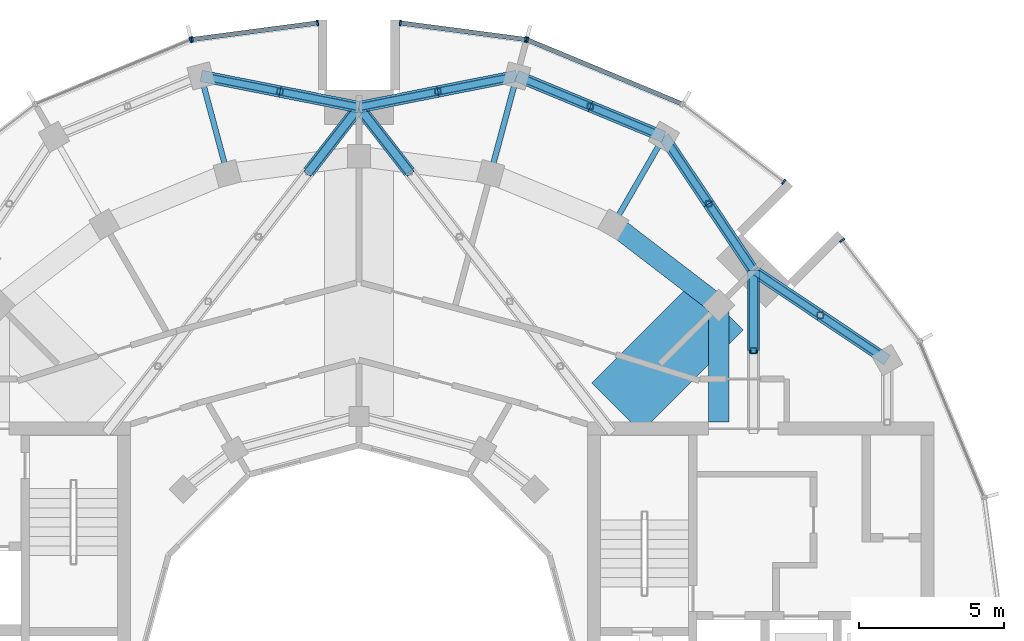
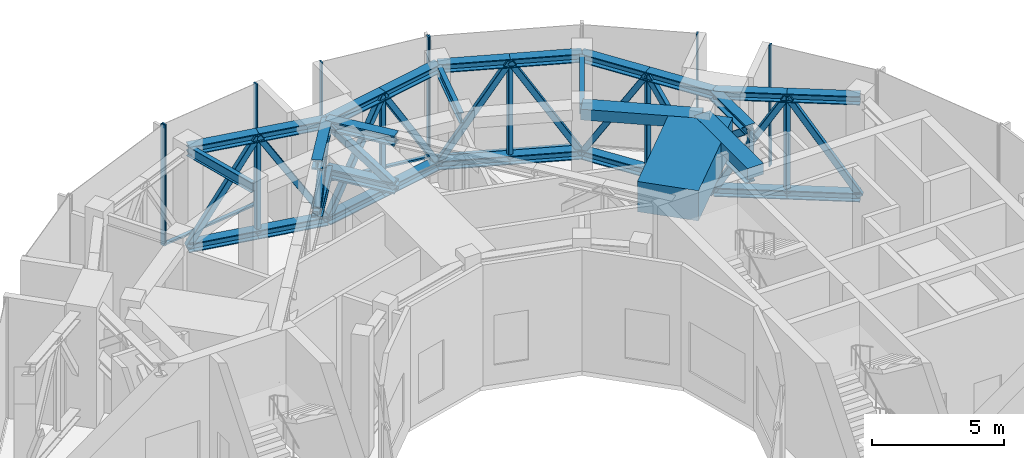
# One storey, part 8 of 17: 56 members, 6 beams, 6 elements without a shape of their own.
"""IFC4 building model written with IfcOpenShell, lengths in metres."""

from ifc_helpers import new_model, si_unit, direction, frame, origin, origin_2d, place, context, subcontext, project, spatial, rectangle, hollow_rectangle, i_section, extrude, material, layer, layer_set, material_profile, profile_set, type_object, element, aggregate, save


model = new_model("IFC4")

# Units and contexts
model_context = context("Model", 3, precision=1e-05, world=origin(), true_north=direction((0.0, 1.0)))
body_context = subcontext(model_context, "Body", "Model", "MODEL_VIEW")
ifc_project = project(units=[si_unit("LENGTHUNIT", "METRE"), si_unit("AREAUNIT", "SQUARE_METRE"), si_unit("VOLUMEUNIT", "CUBIC_METRE"), si_unit("PLANEANGLEUNIT", "RADIAN"), si_unit("MASSUNIT", "GRAM", prefix="KILO")], contexts=[model_context])

# Site, building, storey
site_placement = place(None, origin())
site = spatial("IfcSite", under=ifc_project, at=site_placement, CompositionType="ELEMENT")
building_placement = place(site_placement, origin())
building = spatial("IfcBuilding", under=site, at=building_placement, Name="Torre Brocal", CompositionType="ELEMENT")
storey_placement = place(building_placement, frame((0.0, 0.0, 309.300048828125)))
storey = spatial("IfcBuildingStorey", under=building, at=storey_placement, Name="L71", CompositionType="ELEMENT", Elevation=309.300048828125)

# Members
ifc_material_1 = material(Name="Steel A500 Grade C", Category="steel")
ifc_material_profile_1 = material_profile(ifc_material_1, hollow_rectangle(XDim=0.203125, YDim=0.203125, WallThickness=0.01171875, InnerFilletRadius=0.01171875, OuterFilletRadius=0.023681640625, at=origin_2d()), Name="HSS8X8X1/2")
ifc_profile_set_1 = profile_set([ifc_material_profile_1], Name="Steel A500 Grade C")
member_type_1 = type_object("IfcMemberType", Name="BELT 3 POST HSS8X8X1/2", PredefinedType="POST", material=ifc_profile_set_1)
for number, where, z_axis, x_axis, name in (
    (1, (95.960205078125, 87.0986328125, 0.599365234375), (0.0, 0.0, 1.0), (1.0, 0.0, 0.0), "Member BT3-P01"),
    (2, (92.0986328125, 90.960205078125, 0.599365234375), (0.0, 0.0, 1.0), (1.0, 0.0, 0.0), "Member BT3-P02"),
    (3, (88.005615234375, 94.3271484375, 0.599365234375), (0.0, 0.0, 1.0), (1.0, 0.0, 0.0), "Member BT3-P03"),
    (4, (82.73046875, 94.840576171875, 0.599365234375), (0.0, 0.0, 1.0), (1.0, 0.0, 0.0), "Member BT3-P04"),
    (5, (77.26953125, 94.840576171875, 0.599365234375), (0.0, 0.0, 1.0), (1.0, 0.0, 0.0), "Member BT3-P05"),
):
    element("IfcMember", number, at=place(storey_placement, frame(where, z_axis=z_axis, x_axis=x_axis)), inside=storey, type_object=member_type_1, Name=name, PredefinedType="POST", context=body_context, shape_type="SweptSolid", body=[
        extrude(hollow_rectangle(XDim=0.203125, YDim=0.203125, WallThickness=0.01171875, InnerFilletRadius=0.01171875, OuterFilletRadius=0.023681640625, at=origin_2d()), origin(), (0.0, 0.0, 1.0), 4.481201171875),
    ])

# Curtain wall, member
ifc_material_2 = material(Name="Aluminium and glass", Category="aluminium")
ifc_layer = layer(ifc_material_2, 0.199951171875)
ifc_layer_set = layer_set([ifc_layer], Name="Aluminium and glass")
curtain_wall_type = type_object("IfcCurtainWallType", Name="CW-1 CURTAIN WALL 5600 HIGH", PredefinedType="NOTDEFINED", material=ifc_layer_set)
curtain_wall_1_placement = place(storey_placement, origin())
curtain_wall_1 = element("IfcCurtainWall", 6, at=curtain_wall_1_placement, inside=storey, type_object=curtain_wall_type, Name="CW-1 RUN 3", PredefinedType="NOTDEFINED")
ifc_material_3 = material(Name="Aluminium, dark anodised", Category="aluminium")
ifc_material_profile_2 = material_profile(ifc_material_3, rectangle(XDim=0.199951171875, YDim=0.06005859375, at=origin_2d()), Name="CW-1 MULLION 60X200")
ifc_profile_set_2 = profile_set([ifc_material_profile_2], Name="Aluminium, dark anodised")
member_type_2 = type_object("IfcMemberType", Name="CW-1 MULLION 60X200", PredefinedType="MULLION", material=ifc_profile_set_2)
member_1_placement = place(storey_placement, frame((96.716552734375, 89.694580078125, 0.0), z_axis=(0.0, 0.0, 1.0), x_axis=(-0.793353340249, -0.608761429064, 0.0)))
member_1 = element("IfcMember", 7, at=member_1_placement, type_object=member_type_2, Name="CW1-2 mullion 2", PredefinedType="MULLION", context=body_context, shape_type="SweptSolid", body=[
    extrude(rectangle(XDim=0.199951171875, YDim=0.06005859375, at=origin_2d()), origin(), (0.0, 0.0, 1.0), 5.599853515625),
])
aggregate(curtain_wall_1, [member_1])

curtain_wall_2_placement = place(storey_placement, origin())
curtain_wall_2 = element("IfcCurtainWall", 8, at=curtain_wall_2_placement, inside=storey, type_object=curtain_wall_type, Name="CW-1 RUN 4", PredefinedType="NOTDEFINED")
member_2_placement = place(storey_placement, frame((94.694580078125, 91.716552734375, 0.0), z_axis=(0.0, 0.0, 1.0), x_axis=(-0.608761429064, -0.793353340249, 0.0)))
member_2 = element("IfcMember", 9, at=member_2_placement, type_object=member_type_2, Name="CW1-2 mullion 1", PredefinedType="MULLION", context=body_context, shape_type="SweptSolid", body=[
    extrude(rectangle(XDim=0.199951171875, YDim=0.06005859375, at=origin_2d()), origin(), (0.0, 0.0, 1.0), 5.599853515625),
])
aggregate(curtain_wall_2, [member_2])

curtain_wall_3_placement = place(storey_placement, origin())
curtain_wall_3 = element("IfcCurtainWall", 10, at=curtain_wall_3_placement, inside=storey, type_object=curtain_wall_type, Name="CW-1 RUN 5", PredefinedType="NOTDEFINED")
member_3_placement = place(storey_placement, frame((85.824951171875, 96.62451171875, 0.0), z_axis=(0.0, 0.0, 1.0), x_axis=(-0.382683432284, -0.923879532545, 0.0)))
member_3 = element("IfcMember", 11, at=member_3_placement, type_object=member_type_2, Name="CW1-2 mullion 2", PredefinedType="MULLION", context=body_context, shape_type="SweptSolid", body=[
    extrude(rectangle(XDim=0.199951171875, YDim=0.06005859375, at=origin_2d()), origin(), (0.0, 0.0, 1.0), 5.599853515625),
])

# Curtain wall, members
curtain_wall_4_placement = place(storey_placement, origin())
curtain_wall_4 = element("IfcCurtainWall", 12, at=curtain_wall_4_placement, inside=storey, type_object=curtain_wall_type, Name="CW-1 RUN 6", PredefinedType="NOTDEFINED")
member_4_placement = place(storey_placement, frame((85.767578125, 96.639892578125, 0.0), z_axis=(0.0, 0.0, 1.0), x_axis=(-0.13052619222, -0.991444861374, 0.0)))
member_4 = element("IfcMember", 13, at=member_4_placement, type_object=member_type_2, Name="CW1-2 mullion 1", PredefinedType="MULLION", context=body_context, shape_type="SweptSolid", body=[
    extrude(rectangle(XDim=0.199951171875, YDim=0.06005859375, at=origin_2d()), origin(), (0.0, 0.0, 1.0), 5.599853515625),
])
member_5_placement = place(storey_placement, frame((81.4296875, 97.2109375, 0.0), z_axis=(0.0, 0.0, 1.0), x_axis=(-0.13052619222, -0.991444861374, 0.0)))
member_5 = element("IfcMember", 14, at=member_5_placement, type_object=member_type_2, Name="CW1-2 mullion 2", PredefinedType="MULLION", context=body_context, shape_type="SweptSolid", body=[
    extrude(rectangle(XDim=0.199951171875, YDim=0.06005859375, at=origin_2d()), origin(), (0.0, 0.0, 1.0), 5.599853515625),
])

curtain_wall_5_placement = place(storey_placement, origin())
curtain_wall_5 = element("IfcCurtainWall", 15, at=curtain_wall_5_placement, inside=storey, type_object=curtain_wall_type, Name="CW-1 RUN 7", PredefinedType="NOTDEFINED")
member_6_placement = place(storey_placement, frame((78.5703125, 97.2109375, 0.0), z_axis=(0.0, 0.0, 1.0), x_axis=(0.13052619222, -0.991444861374, 0.0)))
member_6 = element("IfcMember", 16, at=member_6_placement, type_object=member_type_2, Name="CW1-2 mullion 1", PredefinedType="MULLION", context=body_context, shape_type="SweptSolid", body=[
    extrude(rectangle(XDim=0.199951171875, YDim=0.06005859375, at=origin_2d()), origin(), (0.0, 0.0, 1.0), 5.599853515625),
])
member_7_placement = place(storey_placement, frame((74.232421875, 96.639892578125, 0.0), z_axis=(0.0, 0.0, 1.0), x_axis=(0.13052619222, -0.991444861374, 0.0)))
member_7 = element("IfcMember", 17, at=member_7_placement, type_object=member_type_2, Name="CW1-2 mullion 2", PredefinedType="MULLION", context=body_context, shape_type="SweptSolid", body=[
    extrude(rectangle(XDim=0.199951171875, YDim=0.06005859375, at=origin_2d()), origin(), (0.0, 0.0, 1.0), 5.599853515625),
])

# Curtain wall, member
curtain_wall_6_placement = place(storey_placement, origin())
curtain_wall_6 = element("IfcCurtainWall", 18, at=curtain_wall_6_placement, inside=storey, type_object=curtain_wall_type, Name="CW-1 RUN 8", PredefinedType="NOTDEFINED")
member_8_placement = place(storey_placement, frame((74.175048828125, 96.62451171875, 0.0), z_axis=(0.0, 0.0, 1.0), x_axis=(0.382683432284, -0.923879532545, 0.0)))
member_8 = element("IfcMember", 19, at=member_8_placement, type_object=member_type_2, Name="CW1-2 mullion 1", PredefinedType="MULLION", context=body_context, shape_type="SweptSolid", body=[
    extrude(rectangle(XDim=0.199951171875, YDim=0.06005859375, at=origin_2d()), origin(), (0.0, 0.0, 1.0), 5.599853515625),
])
aggregate(curtain_wall_6, [member_8])

# Member
ifc_material_4 = material(Name="Aluminium, dark anodised", Category="aluminium")
ifc_material_profile_3 = material_profile(ifc_material_4, rectangle(XDim=0.159912109375, YDim=0.080078125, at=origin_2d()), Name="CW-1 TRANSOM 160X80")
ifc_profile_set_3 = profile_set([ifc_material_profile_3], Name="Aluminium, dark anodised")
member_type_3 = type_object("IfcMemberType", Name="CW-1 TRANSOM 160X80", PredefinedType="USERDEFINED", material=ifc_profile_set_3)
member_9_placement = place(storey_placement, frame((91.14404296875, 94.421142578125, 0.0400390625), z_axis=(-0.923868236854, 0.382710701355, 0.0), x_axis=(-0.382710701355, -0.923868236854, 0.0)))
member_9 = element("IfcMember", 20, at=member_9_placement, type_object=member_type_3, Name="CW1-2 transom 1.1", ObjectType="TRANSOM", PredefinedType="USERDEFINED", context=body_context, shape_type="SweptSolid", body=[
    extrude(rectangle(XDim=0.159912109375, YDim=0.080078125, at=origin_2d()), origin(), (0.0, 0.0, 1.0), 5.727294921875),
])

aggregate(curtain_wall_3, [member_3, member_9])

member_10_placement = place(storey_placement, frame((85.73779296875, 96.643798828125, 0.0400390625), z_axis=(-0.991445435136, 0.130521833991, 0.0), x_axis=(-0.130521833991, -0.991445435136, 0.0)))
member_10 = element("IfcMember", 21, at=member_10_placement, type_object=member_type_3, Name="CW1-2 transom 1.1", ObjectType="TRANSOM", PredefinedType="USERDEFINED", context=body_context, shape_type="SweptSolid", body=[
    extrude(rectangle(XDim=0.159912109375, YDim=0.080078125, at=origin_2d()), origin(), (0.0, 0.0, 1.0), 4.315185546875),
])

aggregate(curtain_wall_4, [member_4, member_5, member_10])

member_11_placement = place(storey_placement, frame((78.54052734375, 97.20703125, 0.0400390625), z_axis=(-0.991445435136, -0.130521833991, 0.0), x_axis=(0.130521833991, -0.991445435136, 0.0)))
member_11 = element("IfcMember", 22, at=member_11_placement, type_object=member_type_3, Name="CW1-2 transom 1.1", ObjectType="TRANSOM", PredefinedType="USERDEFINED", context=body_context, shape_type="SweptSolid", body=[
    extrude(rectangle(XDim=0.159912109375, YDim=0.080078125, at=origin_2d()), origin(), (0.0, 0.0, 1.0), 4.315185546875),
])

aggregate(curtain_wall_5, [member_6, member_7, member_11])

ifc_material_5 = material(Name="Steel A500 Grade C", Category="steel")
ifc_material_profile_4 = material_profile(ifc_material_5, hollow_rectangle(XDim=0.203125, YDim=0.203125, WallThickness=0.01171875, InnerFilletRadius=0.01171875, OuterFilletRadius=0.023681640625, at=origin_2d()), Name="HSS8X8X1/2")
ifc_profile_set_4 = profile_set([ifc_material_profile_4], Name="Steel A500 Grade C")
member_type_4 = type_object("IfcMemberType", Name="OUTRIGGER 3 POST HSS8X8X1/2", PredefinedType="POST", material=ifc_profile_set_4)
member_12_placement = place(storey_placement, frame((93.647216796875, 85.87353515625, 2.817138671875), z_axis=(0.0, 0.0, 1.0), x_axis=(1.0, 0.0, 0.0)))
element("IfcMember", 23, at=member_12_placement, inside=storey, type_object=member_type_4, Name="Member OT3-P01", PredefinedType="POST", context=body_context, shape_type="SweptSolid", body=[
    extrude(hollow_rectangle(XDim=0.203125, YDim=0.203125, WallThickness=0.01171875, InnerFilletRadius=0.01171875, OuterFilletRadius=0.023681640625, at=origin_2d()), origin(), (0.0, 0.0, 1.0), 2.24560546875),
])

# Beams
ifc_material_6 = material(Name="Steel A992", Category="steel")
ifc_material_profile_5 = material_profile(ifc_material_6, i_section(OverallWidth=0.19287109375, OverallDepth=0.46728515625, WebThickness=0.011474609375, FlangeThickness=0.01904296875, at=origin_2d()), Name="W18X65")
ifc_profile_set_5 = profile_set([ifc_material_profile_5], Name="Steel A992")
beam_type_1 = type_object("IfcBeamType", Name="PLANT FLOOR BEAM TOP 5280 W18X65", PredefinedType="BEAM", material=ifc_profile_set_5)
for number, where, z_axis, x_axis, name in (
    (24, (88.800048828125, 90.241943359375, 5.046142578125), (0.499980071345, 0.866036909293, 0.0), (-0.866036909293, 0.499980071345, 0.0), "Beam SF-03"),
    (25, (84.55517578125, 92.000244140625, 5.046142578125), (0.258847652622, 0.965918160473, 0.0), (-0.965918160473, 0.258847652622, 0.0), "Beam SF-03"),
    (26, (75.44482421875, 92.000244140625, 5.046142578125), (-0.258847652622, 0.965918160473, 0.0), (-0.965918160473, -0.258847652622, 0.0), "Beam SF-03"),
):
    element("IfcBeam", number, at=place(storey_placement, frame(where, z_axis=z_axis, x_axis=x_axis)), inside=storey, type_object=beam_type_1, Name=name, PredefinedType="BEAM", context=body_context, shape_type="SweptSolid", body=[
        extrude(i_section(OverallWidth=0.19287109375, OverallDepth=0.46728515625, WebThickness=0.011474609375, FlangeThickness=0.01904296875, at=origin_2d()), origin(), (0.0, 0.0, 1.0), 3.500244140625),
    ])
ifc_material_7 = material(Name="Concrete C50", Category="concrete")
ifc_material_profile_6 = material_profile(ifc_material_7, rectangle(XDim=0.699951171875, YDim=0.5, at=origin_2d()), Name="RC 700X500")
ifc_profile_set_6 = profile_set([ifc_material_profile_6], Name="Concrete C50")
beam_type_2 = type_object("IfcBeamType", Name="RC BEAM 700X500 C50 TOP 5280", PredefinedType="BEAM", material=ifc_profile_set_6)
beam_1_placement = place(storey_placement, frame((92.445068359375, 87.445068359375, 5.030029296875), z_axis=(-0.793358265959, 0.6087550097, 0.0), x_axis=(-0.6087550097, -0.793358265959, 0.0)))
element("IfcBeam", 27, at=beam_1_placement, inside=storey, type_object=beam_type_2, Name="Beam BT-36", PredefinedType="BEAM", context=body_context, shape_type="SweptSolid", body=[
    extrude(rectangle(XDim=0.699951171875, YDim=0.5, at=origin_2d()), origin(), (0.0, 0.0, 1.0), 4.594482421875),
])
beam_2_placement = place(storey_placement, frame((92.445068359375, 87.445068359375, 5.030029296875), z_axis=(0.0, -1.0, 0.0), x_axis=(1.0, 0.0, 0.0)))
element("IfcBeam", 28, at=beam_2_placement, inside=storey, type_object=beam_type_2, Name="Beam BT-36", PredefinedType="BEAM", context=body_context, shape_type="SweptSolid", body=[
    extrude(rectangle(XDim=0.699951171875, YDim=0.5, at=origin_2d()), origin(), (0.0, 0.0, 1.0), 4.045166015625),
])
ifc_material_8 = material(Name="Concrete C60", Category="concrete")
ifc_material_profile_7 = material_profile(ifc_material_8, rectangle(XDim=2.39990234375, YDim=1.39990234375, at=origin_2d()), Name="RC 2400X1400")
ifc_profile_set_7 = profile_set([ifc_material_profile_7], Name="Concrete C60")
beam_type_3 = type_object("IfcBeamType", Name="RC TRANSFER GIRDER 2400X1400 C60 TOP 5280", PredefinedType="BEAM", material=ifc_profile_set_7)
beam_3_placement = place(storey_placement, frame((88.909423828125, 83.909423828125, 4.579833984375), z_axis=(0.707106781187, 0.707106781187, 0.0), x_axis=(-0.707106781187, 0.707106781187, 0.0)))
element("IfcBeam", 29, at=beam_3_placement, inside=storey, type_object=beam_type_3, Name="Beam TG-09", PredefinedType="BEAM", context=body_context, shape_type="SweptSolid", body=[
    extrude(rectangle(XDim=2.39990234375, YDim=1.39990234375, at=origin_2d()), origin(), (0.0, 0.0, 1.0), 5.000244140625),
])

# Members
ifc_material_9 = material(Name="Steel A992", Category="steel")
ifc_material_profile_8 = material_profile(ifc_material_9, i_section(OverallWidth=0.4013671875, OverallDepth=0.398681640625, WebThickness=0.02490234375, FlangeThickness=0.03955078125, at=origin_2d()), Name="W14X211")
ifc_profile_set_8 = profile_set([ifc_material_profile_8], Name="Steel A992")
member_type_5 = type_object("IfcMemberType", Name="TRUSS BOTTOM CHORD W14X211", PredefinedType="CHORD", material=ifc_profile_set_8)
for number, where, z_axis, x_axis, name in (
    (30, (98.273193359375, 85.550048828125, 0.599365234375), (-0.830955689206, 0.556338604247, 0.0), (-0.556338604247, -0.830955689206, 0.0), "Member BT3-C02"),
    (31, (95.960205078125, 87.0986328125, 0.599365234375), (-0.830955689206, 0.556338604247, 0.0), (-0.556338604247, -0.830955689206, 0.0), "Member BT3-C04"),
    (32, (93.647216796875, 88.647216796875, 0.599365234375), (-0.556338604247, 0.830955689206, 0.0), (-0.830955689206, -0.556338604247, 0.0), "Member BT3-C06"),
    (33, (92.0986328125, 90.960205078125, 0.599365234375), (-0.556338604247, 0.830955689206, 0.0), (-0.830955689206, -0.556338604247, 0.0), "Member BT3-C08"),
):
    element("IfcMember", number, at=place(storey_placement, frame(where, z_axis=z_axis, x_axis=x_axis)), inside=storey, type_object=member_type_5, Name=name, PredefinedType="CHORD", context=body_context, shape_type="SweptSolid", body=[
        extrude(i_section(OverallWidth=0.4013671875, OverallDepth=0.398681640625, WebThickness=0.02490234375, FlangeThickness=0.03955078125, at=origin_2d()), origin(), (0.0, 0.0, 1.0), 2.783447265625),
    ])
for number, where, z_axis, x_axis, name in (
    (34, (90.550048828125, 93.273193359375, 0.599365234375), (-0.923877456038, 0.382688445377, 0.0), (-0.382688445377, -0.923877456038, 0.0), "Member BT3-C10"),
    (35, (88.005615234375, 94.3271484375, 0.599365234375), (-0.923877456038, 0.382688445377, 0.0), (-0.382688445377, -0.923877456038, 0.0), "Member BT3-C12"),
):
    element("IfcMember", number, at=place(storey_placement, frame(where, z_axis=z_axis, x_axis=x_axis)), inside=storey, type_object=member_type_5, Name=name, PredefinedType="CHORD", context=body_context, shape_type="SweptSolid", body=[
        extrude(i_section(OverallWidth=0.4013671875, OverallDepth=0.398681640625, WebThickness=0.02490234375, FlangeThickness=0.03955078125, at=origin_2d()), origin(), (0.0, 0.0, 1.0), 2.754150390625),
    ])
member_13_placement = place(storey_placement, frame((85.461181640625, 95.381103515625, 0.599365234375), z_axis=(-0.980966677933, -0.194176148855, 0.0), x_axis=(0.194176148855, -0.980966677933, 0.0)))
element("IfcMember", 36, at=member_13_placement, inside=storey, type_object=member_type_5, Name="Member BT3-C14", PredefinedType="CHORD", context=body_context, shape_type="SweptSolid", body=[
    extrude(i_section(OverallWidth=0.4013671875, OverallDepth=0.398681640625, WebThickness=0.02490234375, FlangeThickness=0.03955078125, at=origin_2d()), origin(), (0.0, 0.0, 1.0), 2.78369140625),
])
for number, where, z_axis, x_axis, name in (
    (37, (82.73046875, 94.840576171875, 0.599365234375), (-0.980963370691, -0.194192856108, 0.0), (0.194192856108, -0.980963370691, 0.0), "Member BT3-C16"),
    (38, (80.0, 94.300048828125, 0.599365234375), (-0.980963370691, 0.194192856108, 0.0), (-0.194192856108, -0.980963370691, 0.0), "Member BT3-C18"),
):
    element("IfcMember", number, at=place(storey_placement, frame(where, z_axis=z_axis, x_axis=x_axis)), inside=storey, type_object=member_type_5, Name=name, PredefinedType="CHORD", context=body_context, shape_type="SweptSolid", body=[
        extrude(i_section(OverallWidth=0.4013671875, OverallDepth=0.398681640625, WebThickness=0.02490234375, FlangeThickness=0.03955078125, at=origin_2d()), origin(), (0.0, 0.0, 1.0), 2.783447265625),
    ])
member_14_placement = place(storey_placement, frame((77.26953125, 94.840576171875, 0.599365234375), z_axis=(-0.980966677933, 0.194176148855, 0.0), x_axis=(-0.194176148855, -0.980966677933, 0.0)))
element("IfcMember", 39, at=member_14_placement, inside=storey, type_object=member_type_5, Name="Member BT3-C20", PredefinedType="CHORD", context=body_context, shape_type="SweptSolid", body=[
    extrude(i_section(OverallWidth=0.4013671875, OverallDepth=0.398681640625, WebThickness=0.02490234375, FlangeThickness=0.03955078125, at=origin_2d()), origin(), (0.0, 0.0, 1.0), 2.78369140625),
])
ifc_material_10 = material(Name="Steel A992", Category="steel")
ifc_material_profile_9 = material_profile(ifc_material_10, i_section(OverallWidth=0.41162109375, OverallDepth=0.434326171875, WebThickness=0.035888671875, FlangeThickness=0.057373046875, at=origin_2d()), Name="W14X311")
ifc_profile_set_9 = profile_set([ifc_material_profile_9], Name="Steel A992")
member_type_6 = type_object("IfcMemberType", Name="TRUSS BOTTOM CHORD W14X311", PredefinedType="CHORD", material=ifc_profile_set_9)
member_15_placement = place(storey_placement, frame((93.647216796875, 85.87353515625, 2.817138671875), z_axis=(0.0, 1.0, 0.0), x_axis=(-1.0, 0.0, 0.0)))
element("IfcMember", 40, at=member_15_placement, inside=storey, type_object=member_type_6, Name="Member OT3-C04", PredefinedType="CHORD", context=body_context, shape_type="SweptSolid", body=[
    extrude(i_section(OverallWidth=0.41162109375, OverallDepth=0.434326171875, WebThickness=0.035888671875, FlangeThickness=0.057373046875, at=origin_2d()), origin(), (0.0, 0.0, 1.0), 2.773681640625),
])
ifc_material_11 = material(Name="Steel A992", Category="steel")
ifc_material_profile_10 = material_profile(ifc_material_11, i_section(OverallWidth=0.421630859375, OverallDepth=0.46484375, WebThickness=0.044921875, FlangeThickness=0.072509765625, at=origin_2d()), Name="W14X398")
ifc_profile_set_10 = profile_set([ifc_material_profile_10], Name="Steel A992")
member_type_7 = type_object("IfcMemberType", Name="TRUSS BOTTOM CHORD W14X398", PredefinedType="CHORD", material=ifc_profile_set_10)
for number, where, z_axis, x_axis, name in (
    (41, (81.739990234375, 92.06005859375, 2.832275390625), (-0.613451858445, 0.789732117474, 0.0), (-0.789732117474, -0.613451858445, 0.0), "Member OT3-C14"),
    (42, (78.260009765625, 92.06005859375, 2.832275390625), (0.613451858445, 0.789732117474, 0.0), (-0.789732117474, 0.613451858445, 0.0), "Member OT3-C24"),
):
    element("IfcMember", number, at=place(storey_placement, frame(where, z_axis=z_axis, x_axis=x_axis)), inside=storey, type_object=member_type_7, Name=name, PredefinedType="CHORD", context=body_context, shape_type="SweptSolid", body=[
        extrude(i_section(OverallWidth=0.421630859375, OverallDepth=0.46484375, WebThickness=0.044921875, FlangeThickness=0.072509765625, at=origin_2d()), origin(), (0.0, 0.0, 1.0), 2.83642578125),
    ])
ifc_material_12 = material(Name="Steel A500 Grade C", Category="steel")
ifc_material_profile_11 = material_profile(ifc_material_12, hollow_rectangle(XDim=0.25390625, YDim=0.25390625, WallThickness=0.01171875, InnerFilletRadius=0.01171875, OuterFilletRadius=0.023681640625, at=origin_2d()), Name="HSS10X10X1/2")
ifc_profile_set_11 = profile_set([ifc_material_profile_11], Name="Steel A500 Grade C")
member_type_8 = type_object("IfcMemberType", Name="TRUSS DIAGONAL HSS10X10X1/2", PredefinedType="BRACE", material=ifc_profile_set_11)
for number, where, z_axis, x_axis, name in (
    (43, (98.273193359375, 85.550048828125, 0.599365234375), (-0.438453095926, 0.293551613622, 0.849462378692), (-0.556338604247, -0.830955689206, 0.0), "Member BT3-D01"),
    (44, (95.960205078125, 87.0986328125, 5.08056640625), (-0.438453095926, 0.293551613622, -0.849462378692), (-0.556338604247, -0.830955689206, 0.0), "Member BT3-D02"),
    (45, (93.647216796875, 88.647216796875, 0.599365234375), (-0.293551613622, 0.438453095926, 0.849462378692), (-0.830955689206, -0.556338604247, 0.0), "Member BT3-D03"),
    (46, (92.0986328125, 90.960205078125, 5.08056640625), (-0.293551613622, 0.438453095926, -0.849462378692), (-0.830955689206, -0.556338604247, 0.0), "Member BT3-D04"),
):
    element("IfcMember", number, at=place(storey_placement, frame(where, z_axis=z_axis, x_axis=x_axis)), inside=storey, type_object=member_type_8, Name=name, PredefinedType="BRACE", context=body_context, shape_type="SweptSolid", body=[
        extrude(hollow_rectangle(XDim=0.25390625, YDim=0.25390625, WallThickness=0.01171875, InnerFilletRadius=0.01171875, OuterFilletRadius=0.023681640625, at=origin_2d()), origin(), (0.0, 0.0, 1.0), 5.275390625),
    ])
for number, where, z_axis, x_axis, name in (
    (47, (90.550048828125, 93.273193359375, 0.599365234375), (-0.483745494743, 0.200377019843, 0.851962056804), (-0.382688445377, -0.923877456038, 0.0), "Member BT3-D05"),
    (48, (88.005615234375, 94.3271484375, 5.08056640625), (-0.483745494743, 0.200377019843, -0.851962056804), (-0.382688445377, -0.923877456038, 0.0), "Member BT3-D06"),
):
    element("IfcMember", number, at=place(storey_placement, frame(where, z_axis=z_axis, x_axis=x_axis)), inside=storey, type_object=member_type_8, Name=name, PredefinedType="BRACE", context=body_context, shape_type="SweptSolid", body=[
        extrude(hollow_rectangle(XDim=0.25390625, YDim=0.25390625, WallThickness=0.01171875, InnerFilletRadius=0.01171875, OuterFilletRadius=0.023681640625, at=origin_2d()), origin(), (0.0, 0.0, 1.0), 5.259765625),
    ])
for number, where, z_axis, x_axis, name in (
    (49, (85.461181640625, 95.381103515625, 0.599365234375), (-0.517628820738, -0.102461350837, 0.849448100549), (0.194176148855, -0.980966677933, 0.0), "Member BT3-D07"),
    (50, (82.73046875, 94.840576171875, 5.08056640625), (-0.517594940614, -0.102463805304, -0.849468449122), (0.194192856108, -0.980963370691, 0.0), "Member BT3-D08"),
    (51, (80.0, 94.300048828125, 0.599365234375), (-0.517594940614, 0.102463805304, 0.849468449122), (-0.194192856108, -0.980963370691, 0.0), "Member BT3-D09"),
    (52, (77.26953125, 94.840576171875, 5.08056640625), (-0.517628820738, 0.102461350837, -0.849448100549), (-0.194176148855, -0.980966677933, 0.0), "Member BT3-D10"),
):
    element("IfcMember", number, at=place(storey_placement, frame(where, z_axis=z_axis, x_axis=x_axis)), inside=storey, type_object=member_type_8, Name=name, PredefinedType="BRACE", context=body_context, shape_type="SweptSolid", body=[
        extrude(hollow_rectangle(XDim=0.25390625, YDim=0.25390625, WallThickness=0.01171875, InnerFilletRadius=0.01171875, OuterFilletRadius=0.023681640625, at=origin_2d()), origin(), (0.0, 0.0, 1.0), 5.275390625),
    ])
ifc_material_13 = material(Name="Steel A500 Grade C", Category="steel")
ifc_material_profile_12 = material_profile(ifc_material_13, hollow_rectangle(XDim=0.3046875, YDim=0.3046875, WallThickness=0.014892578125, InnerFilletRadius=0.014892578125, OuterFilletRadius=0.029541015625, at=origin_2d()), Name="HSS12X12X5/8")
ifc_profile_set_12 = profile_set([ifc_material_profile_12], Name="Steel A500 Grade C")
member_type_9 = type_object("IfcMemberType", Name="TRUSS DIAGONAL HSS12X12X5/8", PredefinedType="BRACE", material=ifc_profile_set_12)
member_16_placement = place(storey_placement, frame((93.647216796875, 85.87353515625, 5.062744140625), z_axis=(0.0, 0.777211414075, -0.629239555203), x_axis=(-1.0, 0.0, 0.0)))
element("IfcMember", 53, at=member_16_placement, inside=storey, type_object=member_type_9, Name="Member OT3-D02", PredefinedType="BRACE", context=body_context, shape_type="SweptSolid", body=[
    extrude(hollow_rectangle(XDim=0.3046875, YDim=0.3046875, WallThickness=0.014892578125, InnerFilletRadius=0.014892578125, OuterFilletRadius=0.029541015625, at=origin_2d()), origin(), (0.0, 0.0, 1.0), 3.56884765625),
])
for number, where, z_axis, x_axis, name in (
    (54, (81.739990234375, 92.06005859375, 2.832275390625), (-0.483464594084, 0.622391981299, 0.615540581832), (-0.789732117474, -0.613451858445, 0.0), "Member OT3-D07"),
    (55, (78.260009765625, 92.06005859375, 2.832275390625), (0.483464594084, 0.622391981299, 0.615540581832), (-0.789732117474, 0.613451858445, 0.0), "Member OT3-D12"),
):
    element("IfcMember", number, at=place(storey_placement, frame(where, z_axis=z_axis, x_axis=x_axis)), inside=storey, type_object=member_type_9, Name=name, PredefinedType="BRACE", context=body_context, shape_type="SweptSolid", body=[
        extrude(hollow_rectangle(XDim=0.3046875, YDim=0.3046875, WallThickness=0.014892578125, InnerFilletRadius=0.014892578125, OuterFilletRadius=0.029541015625, at=origin_2d()), origin(), (0.0, 0.0, 1.0), 3.59912109375),
    ])
ifc_material_14 = material(Name="Steel A992", Category="steel")
ifc_material_profile_13 = material_profile(ifc_material_14, i_section(OverallWidth=0.4013671875, OverallDepth=0.398681640625, WebThickness=0.02490234375, FlangeThickness=0.03955078125, at=origin_2d()), Name="W14X211")
ifc_profile_set_13 = profile_set([ifc_material_profile_13], Name="Steel A992")
member_type_10 = type_object("IfcMemberType", Name="TRUSS TOP CHORD W14X211", PredefinedType="CHORD", material=ifc_profile_set_13)
for number, where, z_axis, x_axis, name in (
    (56, (98.273193359375, 85.550048828125, 5.08056640625), (-0.830955689206, 0.556338604247, 0.0), (-0.556338604247, -0.830955689206, 0.0), "Member BT3-C01"),
    (57, (95.960205078125, 87.0986328125, 5.08056640625), (-0.830955689206, 0.556338604247, 0.0), (-0.556338604247, -0.830955689206, 0.0), "Member BT3-C03"),
    (58, (93.647216796875, 88.647216796875, 5.08056640625), (-0.556338604247, 0.830955689206, 0.0), (-0.830955689206, -0.556338604247, 0.0), "Member BT3-C05"),
    (59, (92.0986328125, 90.960205078125, 5.08056640625), (-0.556338604247, 0.830955689206, 0.0), (-0.830955689206, -0.556338604247, 0.0), "Member BT3-C07"),
):
    element("IfcMember", number, at=place(storey_placement, frame(where, z_axis=z_axis, x_axis=x_axis)), inside=storey, type_object=member_type_10, Name=name, PredefinedType="CHORD", context=body_context, shape_type="SweptSolid", body=[
        extrude(i_section(OverallWidth=0.4013671875, OverallDepth=0.398681640625, WebThickness=0.02490234375, FlangeThickness=0.03955078125, at=origin_2d()), origin(), (0.0, 0.0, 1.0), 2.783447265625),
    ])
for number, where, z_axis, x_axis, name in (
    (60, (90.550048828125, 93.273193359375, 5.08056640625), (-0.923877456038, 0.382688445377, 0.0), (-0.382688445377, -0.923877456038, 0.0), "Member BT3-C09"),
    (61, (88.005615234375, 94.3271484375, 5.08056640625), (-0.923877456038, 0.382688445377, 0.0), (-0.382688445377, -0.923877456038, 0.0), "Member BT3-C11"),
):
    element("IfcMember", number, at=place(storey_placement, frame(where, z_axis=z_axis, x_axis=x_axis)), inside=storey, type_object=member_type_10, Name=name, PredefinedType="CHORD", context=body_context, shape_type="SweptSolid", body=[
        extrude(i_section(OverallWidth=0.4013671875, OverallDepth=0.398681640625, WebThickness=0.02490234375, FlangeThickness=0.03955078125, at=origin_2d()), origin(), (0.0, 0.0, 1.0), 2.754150390625),
    ])
member_17_placement = place(storey_placement, frame((85.461181640625, 95.381103515625, 5.08056640625), z_axis=(-0.980966677933, -0.194176148855, 0.0), x_axis=(0.194176148855, -0.980966677933, 0.0)))
element("IfcMember", 62, at=member_17_placement, inside=storey, type_object=member_type_10, Name="Member BT3-C13", PredefinedType="CHORD", context=body_context, shape_type="SweptSolid", body=[
    extrude(i_section(OverallWidth=0.4013671875, OverallDepth=0.398681640625, WebThickness=0.02490234375, FlangeThickness=0.03955078125, at=origin_2d()), origin(), (0.0, 0.0, 1.0), 2.78369140625),
])
for number, where, z_axis, x_axis, name in (
    (63, (82.73046875, 94.840576171875, 5.08056640625), (-0.980963370691, -0.194192856108, 0.0), (0.194192856108, -0.980963370691, 0.0), "Member BT3-C15"),
    (64, (80.0, 94.300048828125, 5.08056640625), (-0.980963370691, 0.194192856108, 0.0), (-0.194192856108, -0.980963370691, 0.0), "Member BT3-C17"),
):
    element("IfcMember", number, at=place(storey_placement, frame(where, z_axis=z_axis, x_axis=x_axis)), inside=storey, type_object=member_type_10, Name=name, PredefinedType="CHORD", context=body_context, shape_type="SweptSolid", body=[
        extrude(i_section(OverallWidth=0.4013671875, OverallDepth=0.398681640625, WebThickness=0.02490234375, FlangeThickness=0.03955078125, at=origin_2d()), origin(), (0.0, 0.0, 1.0), 2.783447265625),
    ])
member_18_placement = place(storey_placement, frame((77.26953125, 94.840576171875, 5.08056640625), z_axis=(-0.980966677933, 0.194176148855, 0.0), x_axis=(-0.194176148855, -0.980966677933, 0.0)))
element("IfcMember", 65, at=member_18_placement, inside=storey, type_object=member_type_10, Name="Member BT3-C19", PredefinedType="CHORD", context=body_context, shape_type="SweptSolid", body=[
    extrude(i_section(OverallWidth=0.4013671875, OverallDepth=0.398681640625, WebThickness=0.02490234375, FlangeThickness=0.03955078125, at=origin_2d()), origin(), (0.0, 0.0, 1.0), 2.78369140625),
])
ifc_material_15 = material(Name="Steel A992", Category="steel")
ifc_material_profile_14 = material_profile(ifc_material_15, i_section(OverallWidth=0.41162109375, OverallDepth=0.434326171875, WebThickness=0.035888671875, FlangeThickness=0.057373046875, at=origin_2d()), Name="W14X311")
ifc_profile_set_14 = profile_set([ifc_material_profile_14], Name="Steel A992")
member_type_11 = type_object("IfcMemberType", Name="TRUSS TOP CHORD W14X311", PredefinedType="CHORD", material=ifc_profile_set_14)
member_19_placement = place(storey_placement, frame((93.647216796875, 85.87353515625, 5.062744140625), z_axis=(0.0, 1.0, 0.0), x_axis=(-1.0, 0.0, 0.0)))
element("IfcMember", 66, at=member_19_placement, inside=storey, type_object=member_type_11, Name="Member OT3-C03", PredefinedType="CHORD", context=body_context, shape_type="SweptSolid", body=[
    extrude(i_section(OverallWidth=0.41162109375, OverallDepth=0.434326171875, WebThickness=0.035888671875, FlangeThickness=0.057373046875, at=origin_2d()), origin(), (0.0, 0.0, 1.0), 2.773681640625),
])
ifc_material_16 = material(Name="Steel A992", Category="steel")
ifc_material_profile_15 = material_profile(ifc_material_16, i_section(OverallWidth=0.421630859375, OverallDepth=0.46484375, WebThickness=0.044921875, FlangeThickness=0.072509765625, at=origin_2d()), Name="W14X398")
ifc_profile_set_15 = profile_set([ifc_material_profile_15], Name="Steel A992")
member_type_12 = type_object("IfcMemberType", Name="TRUSS TOP CHORD W14X398", PredefinedType="CHORD", material=ifc_profile_set_15)
for number, where, z_axis, x_axis, name in (
    (67, (81.739990234375, 92.06005859375, 5.047607421875), (-0.613451858445, 0.789732117474, 0.0), (-0.789732117474, -0.613451858445, 0.0), "Member OT3-C13"),
    (68, (78.260009765625, 92.06005859375, 5.047607421875), (0.613451858445, 0.789732117474, 0.0), (-0.789732117474, 0.613451858445, 0.0), "Member OT3-C23"),
):
    element("IfcMember", number, at=place(storey_placement, frame(where, z_axis=z_axis, x_axis=x_axis)), inside=storey, type_object=member_type_12, Name=name, PredefinedType="CHORD", context=body_context, shape_type="SweptSolid", body=[
        extrude(i_section(OverallWidth=0.421630859375, OverallDepth=0.46484375, WebThickness=0.044921875, FlangeThickness=0.072509765625, at=origin_2d()), origin(), (0.0, 0.0, 1.0), 2.83642578125),
    ])

save(model, "model.ifc")
